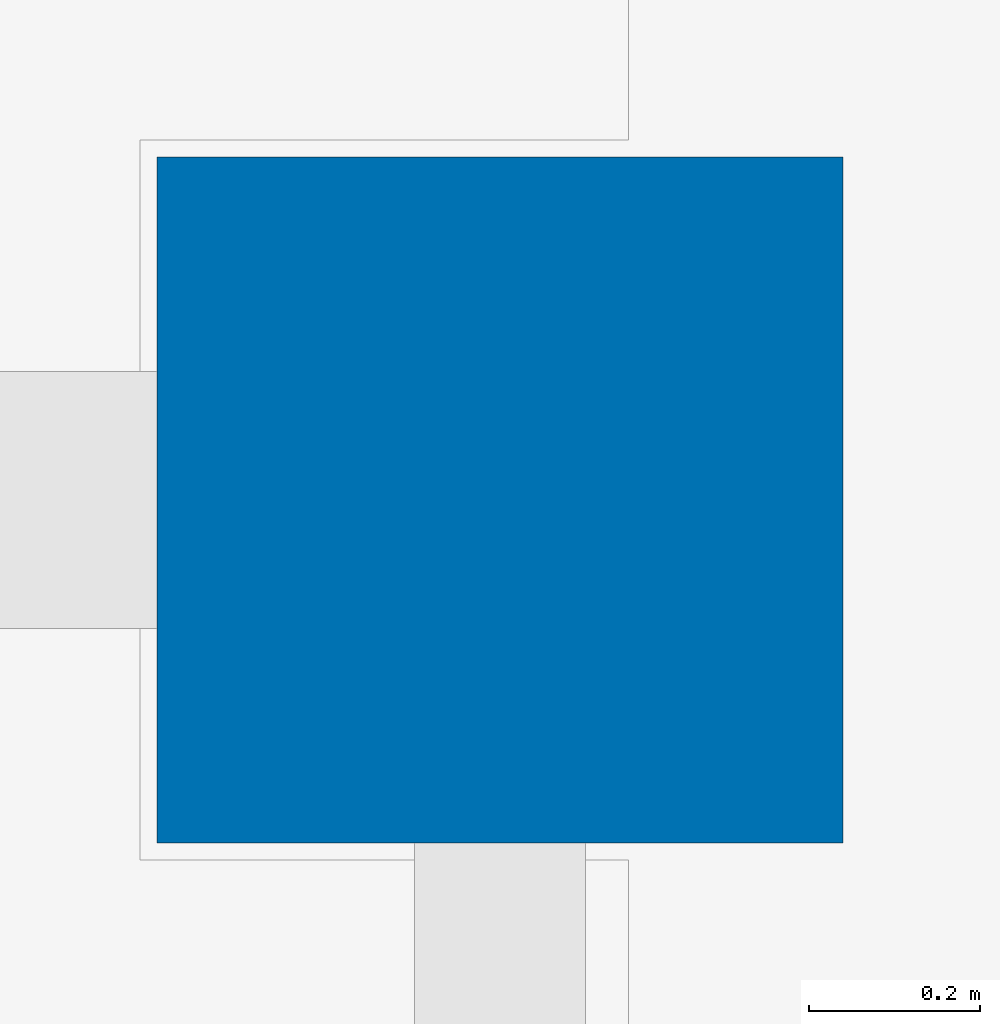
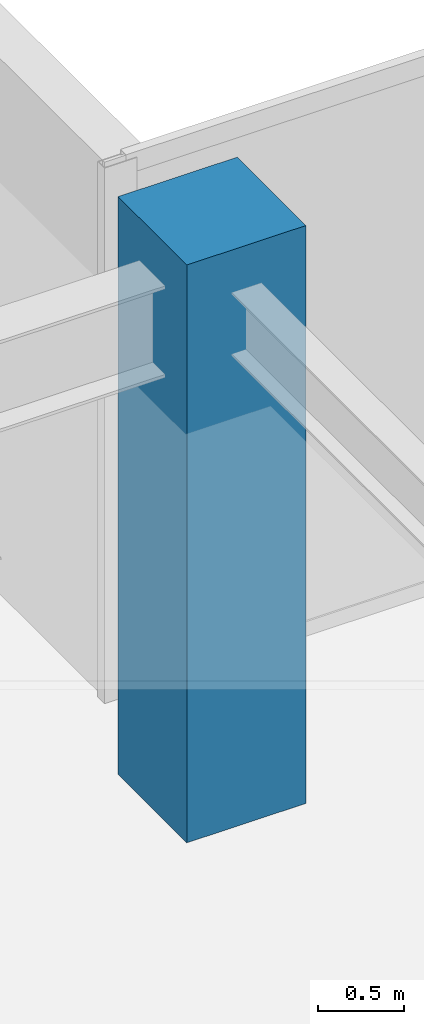
# One storey, part 4 of 35: 1 column.
"""IFC4 building model written with IfcOpenShell, lengths in metres."""

import ifcopenshell
import ifcopenshell.guid

model = None  # the IFC model being written
_history = None  # IfcOwnerHistory: only IFC2X3 demands one
_inside = {}  # id of a spatial element -> (the spatial element, [elements in it])
_under = {}  # id of a project, library or spatial element -> (it, [spatial elements below it])
_declared = {}  # id of a project -> (the project, [libraries it declares])
_typed = {}  # id of a type object -> (the type object, [elements of that type])
_made_of = {}  # id of a material, layer set ... -> (it, [elements and type objects made of it])


def new_model(schema):
    """Start an empty IFC model of exactly this schema.

    Asked for "IFC4X3", IfcOpenShell would pick the latest addendum, in which some entities
    have other attributes; the version numbers below select the first issue.
    IFC2X3 requires an IfcOwnerHistory on every rooted entity: one is made here for all.
    """
    global model, _history
    if schema == "IFC4X3":
        model = ifcopenshell.file(schema_version=(4, 3, 0, 0))
    else:
        model = ifcopenshell.file(schema=schema)
    _inside.clear()
    _under.clear()
    _declared.clear()
    _typed.clear()
    _made_of.clear()
    _history = None
    if model.schema == "IFC2X3":
        org = make("IfcOrganization", Name="unknown")
        user = make(
            "IfcPersonAndOrganization",
            ThePerson=make("IfcPerson", FamilyName="unknown"),
            TheOrganization=org,
        )
        app = make(
            "IfcApplication",
            ApplicationDeveloper=org,
            Version="unknown",
            ApplicationFullName="unknown",
            ApplicationIdentifier="unknown",
        )
        _history = make(
            "IfcOwnerHistory",
            OwningUser=user,
            OwningApplication=app,
            ChangeAction="ADDED",
            CreationDate=0,
        )
    return model


def make(cls, **values):
    """One entity of the class cls with the attributes given. An attribute that is None is left unset."""
    return model.create_entity(
        cls, **{name: value for name, value in values.items() if value is not None}
    )


def rooted(cls, **values):
    """An entity with a GlobalId (a new one), such as an element, a storey or a relation."""
    return make(cls, GlobalId=ifcopenshell.guid.new(), OwnerHistory=_history, **values)


def si_unit(unit_type, name, prefix=None):
    """IfcSIUnit, for example si_unit("LENGTHUNIT", "METRE", prefix="MILLI")."""
    return make("IfcSIUnit", UnitType=unit_type, Prefix=prefix, Name=name)


def assignment(units):
    """IfcUnitAssignment: the units of a project."""
    return None if units is None else make("IfcUnitAssignment", Units=units)


def point(xyz):
    """IfcCartesianPoint."""
    return None if xyz is None else make("IfcCartesianPoint", Coordinates=xyz)


def direction(xyz):
    """IfcDirection."""
    return None if xyz is None else make("IfcDirection", DirectionRatios=xyz)


def frame(location, z_axis=None, x_axis=None):
    """IfcAxis2Placement3D, a coordinate frame: its origin and axes. An axis left out is left unset."""
    return make(
        "IfcAxis2Placement3D",
        Location=point(location),
        Axis=direction(z_axis),
        RefDirection=direction(x_axis),
    )


def frame_2d(location, x_axis=None):
    """IfcAxis2Placement2D, a coordinate frame in the plane: its origin and x axis."""
    return make(
        "IfcAxis2Placement2D", Location=point(location), RefDirection=direction(x_axis)
    )


def origin():
    """The frame at (0, 0, 0) with its axes left unset."""
    return frame((0.0, 0.0, 0.0))


def origin_2d():
    """The frame at (0, 0) in the plane with its x axis left unset."""
    return frame_2d((0.0, 0.0))


def place(relative_to, where):
    """IfcLocalPlacement: puts the frame where relative to a parent placement (None: the world)."""
    return make(
        "IfcLocalPlacement", PlacementRelTo=relative_to, RelativePlacement=where
    )


def context(
    kind, dimensions, precision=None, world=None, true_north=None, identifier=None
):
    """IfcGeometricRepresentationContext, for example the 3D "Model" context."""
    return make(
        "IfcGeometricRepresentationContext",
        ContextIdentifier=identifier,
        ContextType=kind,
        CoordinateSpaceDimension=dimensions,
        Precision=precision,
        WorldCoordinateSystem=world,
        TrueNorth=true_north,
    )


def subcontext(parent, identifier, kind, view, scale=None):
    """IfcGeometricRepresentationSubContext, for example "Body" below "Model"."""
    return make(
        "IfcGeometricRepresentationSubContext",
        ContextIdentifier=identifier,
        ContextType=kind,
        ParentContext=parent,
        TargetScale=scale,
        TargetView=view,
    )


def project(units=None, contexts=None):
    """IfcProject with its units and contexts."""
    return rooted(
        "IfcProject",
        Name="project",
        RepresentationContexts=contexts,
        UnitsInContext=assignment(units),
    )


def spatial(cls, under=None, at=None, **own):
    """A site, building, storey or space (cls), placed at a placement, below another one or the project."""
    s = rooted(cls, ObjectPlacement=at, **own)
    if under is not None:
        _under.setdefault(under.id(), (under, []))[1].append(s)
    return s


def profile(cls, at=None, kind="AREA", **sizes):
    """A parametric profile (cls). Its sizes go by their IFC names, for example OverallWidth=200.0."""
    return make(cls, ProfileType=kind, Position=at, **sizes)


def rectangle(**sizes):
    """IfcRectangleProfileDef."""
    return profile("IfcRectangleProfileDef", **sizes)


def extrude(swept, where, along, depth):
    """IfcExtrudedAreaSolid: the profile swept, set in the frame where, extruded along a direction by depth."""
    return make(
        "IfcExtrudedAreaSolid",
        SweptArea=swept,
        Position=where,
        ExtrudedDirection=direction(along),
        Depth=depth,
    )


def shape(context_of_items, identifier, shape_type, items):
    """IfcShapeRepresentation: the items that make up one representation, for example the "Body"."""
    return make(
        "IfcShapeRepresentation",
        ContextOfItems=context_of_items,
        RepresentationIdentifier=identifier,
        RepresentationType=shape_type,
        Items=items,
    )


def source(mapping_origin, context_of_items, identifier, shape_type, items):
    """IfcRepresentationMap: a shape defined once, which mapped items show again and again."""
    return make(
        "IfcRepresentationMap",
        MappingOrigin=mapping_origin,
        MappedRepresentation=shape(context_of_items, identifier, shape_type, items),
    )


def transform(
    local_origin,
    x_axis=None,
    y_axis=None,
    z_axis=None,
    scale=None,
    scale2=None,
    scale3=None,
    uniform=True,
):
    """IfcCartesianTransformationOperator3D, or its non-uniform kind. x_axis, y_axis, z_axis: its Axis1, 2, 3."""
    if uniform:
        return make(
            "IfcCartesianTransformationOperator3D",
            Axis1=direction(x_axis),
            Axis2=direction(y_axis),
            LocalOrigin=point(local_origin),
            Scale=scale,
            Axis3=direction(z_axis),
        )
    return make(
        "IfcCartesianTransformationOperator3DnonUniform",
        Axis1=direction(x_axis),
        Axis2=direction(y_axis),
        LocalOrigin=point(local_origin),
        Scale=scale,
        Axis3=direction(z_axis),
        Scale2=scale2,
        Scale3=scale3,
    )


def mapped(mapping_source, mapping_target):
    """IfcMappedItem: shows the shape of a source again, moved by a transform."""
    return make(
        "IfcMappedItem", MappingSource=mapping_source, MappingTarget=mapping_target
    )


def material(Name=None, Category=None):
    """IfcMaterial."""
    return make("IfcMaterial", Name=Name, Category=Category)


def material_profile(
    of_material, cross_section, Name=None, Category=None, Priority=None
):
    """IfcMaterialProfile: a cross section and its material."""
    return make(
        "IfcMaterialProfile",
        Name=Name,
        Material=of_material,
        Profile=cross_section,
        Priority=Priority,
        Category=Category,
    )


def profile_set(profiles, Name=None, composite=None):
    """IfcMaterialProfileSet."""
    return make(
        "IfcMaterialProfileSet",
        Name=Name,
        MaterialProfiles=profiles,
        CompositeProfile=composite,
    )


def made_of(thing, what):
    """Note that an element or type object is made of a material, layer set ...; save() writes the relation."""
    if what is not None:
        _made_of.setdefault(what.id(), (what, []))[1].append(thing)
    return thing


def type_object(cls, material=None, **own):
    """A type object (cls), such as IfcWallType, which elements share."""
    return made_of(rooted(cls, **own), material)


def type_shapes(of_type, sources):
    """Give a type object the sources (RepresentationMaps) that its elements show as mapped items."""
    of_type.RepresentationMaps = sources


def element(
    cls,
    number,
    at=None,
    inside=None,
    cuts=None,
    type_object=None,
    material=None,
    context=None,
    identifier="Body",
    shape_type=None,
    held_by="IfcProductDefinitionShape",
    body=None,
    shapes=None,
    **own,
):
    """One element of the class cls, such as IfcWall. Its Tag is "e" and its number.

    at: its placement. inside: the storey or other place that contains it. cuts: it is an
    opening in that element (IfcRelVoidsElement). A single representation is given by context,
    identifier, shape_type and body (its items); several are given by shapes. held_by: the class
    of the entity that holds the representations. save() writes the other relations.
    """
    e = rooted(cls, Tag="e%d" % number, ObjectPlacement=at, **own)
    if body is not None:
        shapes = [shape(context, identifier, shape_type, body)]
    if shapes is not None:
        e.Representation = make(held_by, Representations=shapes)
    if inside is not None:
        _inside.setdefault(inside.id(), (inside, []))[1].append(e)
    if cuts is not None:
        rooted(
            "IfcRelVoidsElement", RelatingBuildingElement=cuts, RelatedOpeningElement=e
        )
    if type_object is not None:
        _typed.setdefault(type_object.id(), (type_object, []))[1].append(e)
    return made_of(e, material)


def aggregate(whole, parts):
    """IfcRelAggregates: a whole, such as a stair, and the parts it consists of."""
    return rooted("IfcRelAggregates", RelatingObject=whole, RelatedObjects=parts)


def save(model, path):
    """Write the relations noted so far, then the file.

    IfcRelAggregates (storeys below a building ...), IfcRelContainedInSpatialStructure (elements
    in a storey), IfcRelDefinesByType, IfcRelAssociatesMaterial and IfcRelDeclares: one each for
    every whole, place, type object, material and project.
    """
    for whole, parts in _under.values():
        aggregate(whole, parts)
    for where, things in _inside.values():
        rooted(
            "IfcRelContainedInSpatialStructure",
            RelatedElements=things,
            RelatingStructure=where,
        )
    for kind, things in _typed.values():
        rooted("IfcRelDefinesByType", RelatedObjects=things, RelatingType=kind)
    for what, things in _made_of.values():
        rooted("IfcRelAssociatesMaterial", RelatedObjects=things, RelatingMaterial=what)
    for by, libraries in _declared.values():
        rooted("IfcRelDeclares", RelatingContext=by, RelatedDefinitions=libraries)
    model.write(path)


model = new_model("IFC4")

# Units and contexts
model_context = context("Model", 3, precision=1e-05, world=origin(), true_north=direction((0.0, 1.0)))
body_context = subcontext(model_context, "Body", "Model", "MODEL_VIEW")
ifc_project = project(units=[si_unit("LENGTHUNIT", "METRE"), si_unit("AREAUNIT", "SQUARE_METRE"), si_unit("VOLUMEUNIT", "CUBIC_METRE"), si_unit("PLANEANGLEUNIT", "RADIAN"), si_unit("MASSUNIT", "GRAM", prefix="KILO")], contexts=[model_context])

# Site, building, storey
site_placement = place(None, origin())
site = spatial("IfcSite", under=ifc_project, at=site_placement, CompositionType="ELEMENT")
building_placement = place(site_placement, origin())
building = spatial("IfcBuilding", under=site, at=building_placement, Name="Haelvirn Gate Laboratories", CompositionType="ELEMENT")
storey_placement = place(building_placement, frame((0.0, 0.0, 201.39990234375)))
storey = spatial("IfcBuildingStorey", under=building, at=storey_placement, Name="L48", CompositionType="ELEMENT", Elevation=201.39990234375)

# Column
ifc_material = material(Name="Concrete C50/60", Category="concrete")
ifc_material_profile = material_profile(ifc_material, rectangle(XDim=0.800048828125, YDim=0.800048828125, at=origin_2d()), Name="RC-800x800")
ifc_profile_set = profile_set([ifc_material_profile], Name="Concrete C50/60")
column_type = type_object("IfcColumnType", Name="COL-RC-800", PredefinedType="COLUMN", material=ifc_profile_set)
shared_shape = source(origin(), body_context, "Body", "SweptSolid", [
    extrude(rectangle(XDim=0.800048828125, YDim=0.800048828125, at=origin_2d()), origin(), (0.0, 0.0, 1.0), 4.10009765625),
])
type_shapes(column_type, [shared_shape])
column_placement = place(storey_placement, frame((67.39990234375, 41.60009765625, 0.0), z_axis=(0.0, 0.0, 1.0), x_axis=(1.0, 0.0, 0.0)))
element("IfcColumn", 1, at=column_placement, inside=storey, type_object=column_type, Name="L48 Column 10G", PredefinedType="COLUMN", context=body_context, shape_type="MappedRepresentation", body=[
    mapped(shared_shape, transform((0.0, 0.0, 0.0), scale=1.0)),
])

save(model, "model.ifc")
